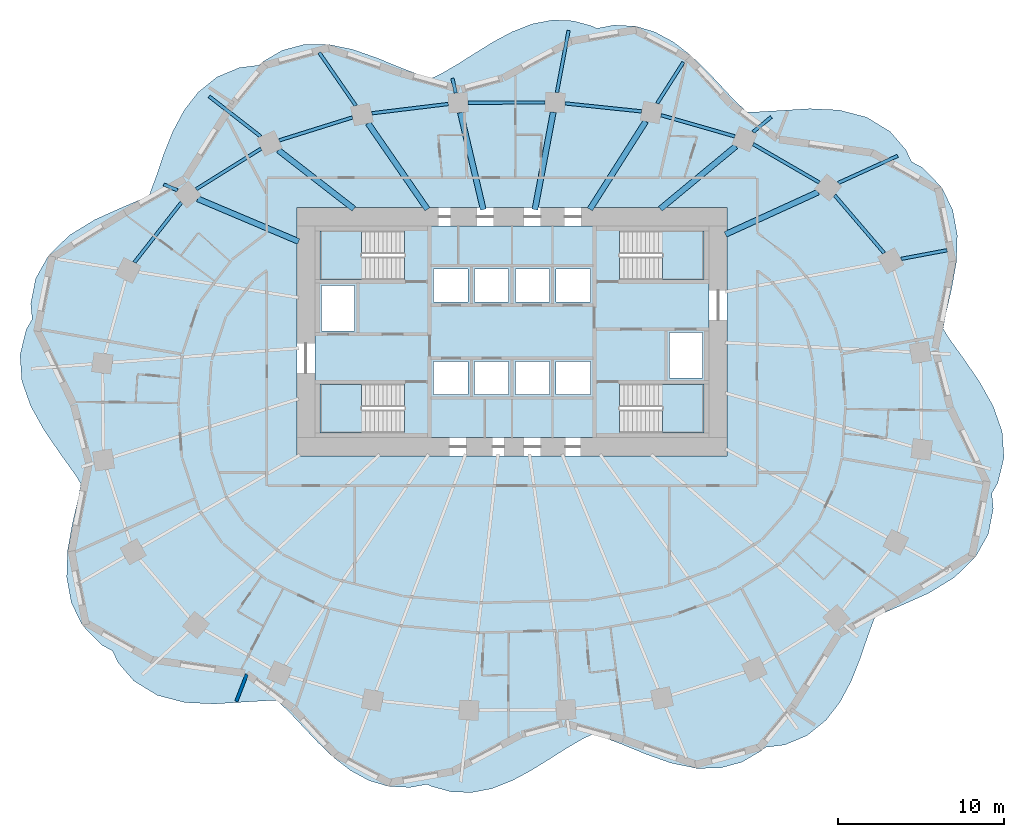
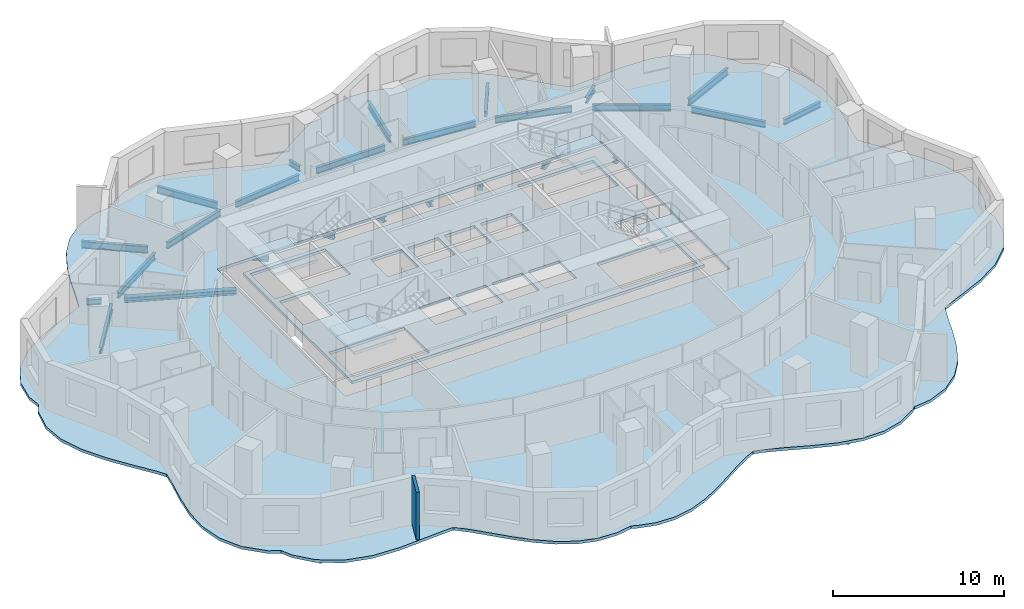
# One storey, part 2 of 10: 26 beams, 6 slabs, 1 wall, 4 elements without a shape of their own.
"""IFC4 building model written with IfcOpenShell, lengths in metres."""

from ifc_helpers import new_model, si_unit, direction, frame, frame_2d, origin, origin_2d, place, context, subcontext, project, spatial, polyline, rectangle, i_section, outline, extrude, material, layer, layer_set, material_profile, profile_set, type_object, element, aggregate, save


model = new_model("IFC4")

# Units and contexts
model_context = context("Model", 3, precision=1e-05, world=origin(), true_north=direction((0.0, 1.0)))
body_context = subcontext(model_context, "Body", "Model", "MODEL_VIEW")
ifc_project = project(units=[si_unit("LENGTHUNIT", "METRE"), si_unit("AREAUNIT", "SQUARE_METRE"), si_unit("VOLUMEUNIT", "CUBIC_METRE"), si_unit("PLANEANGLEUNIT", "RADIAN"), si_unit("MASSUNIT", "GRAM", prefix="KILO")], contexts=[model_context])

# Site, building, storey
site_placement = place(None, origin())
site = spatial("IfcSite", under=ifc_project, at=site_placement, CompositionType="ELEMENT")
building_placement = place(site_placement, origin())
building = spatial("IfcBuilding", under=site, at=building_placement, Name="Rubra Terraces Tower", CompositionType="ELEMENT")
storey_placement = place(building_placement, frame((0.0, 0.0, 88.800048828125)))
storey = spatial("IfcBuildingStorey", under=building, at=storey_placement, Name="L20", CompositionType="ELEMENT", Elevation=88.800048828125)

# Beams
ifc_material_1 = material(Name="Steel Q355B", Category="steel")
ifc_material_profile_1 = material_profile(ifc_material_1, i_section(OverallWidth=0.199951171875, OverallDepth=0.39990234375, WebThickness=0.008056640625, FlangeThickness=0.012939453125, at=origin_2d()), Name="HN 400x200x8x13")
ifc_profile_set_1 = profile_set([ifc_material_profile_1], Name="Steel Q355B")
beam_type_1 = type_object("IfcBeamType", Name="CANTILEVER BEAM HN 400x200x8x13", PredefinedType="BEAM", material=ifc_profile_set_1)
beam_1_placement = place(storey_placement, frame((23.5009765625, 8.904052734375, -0.400146484375), z_axis=(0.982900503659, 0.184137448407, 0.0), x_axis=(-0.184137448407, 0.982900503659, 0.0)))
element("IfcBeam", 1, at=beam_1_placement, inside=storey, type_object=beam_type_1, Name="beam-L20-cant-02", PredefinedType="BEAM", context=body_context, shape_type="SweptSolid", body=[
    extrude(i_section(OverallWidth=0.199951171875, OverallDepth=0.39990234375, WebThickness=0.008056640625, FlangeThickness=0.012939453125, at=origin_2d()), origin(), (0.0, 0.0, 1.0), 2.829345703125),
])
beam_2_placement = place(storey_placement, frame((8.76806640625, 18.29296875, -0.400146484375), z_axis=(0.536506017285, 0.843896494493, 0.0), x_axis=(-0.843896494493, 0.536506017285, 0.0)))
element("IfcBeam", 2, at=beam_2_placement, inside=storey, type_object=beam_type_1, Name="beam-L20-cant-05", PredefinedType="BEAM", context=body_context, shape_type="SweptSolid", body=[
    extrude(i_section(OverallWidth=0.199951171875, OverallDepth=0.39990234375, WebThickness=0.008056640625, FlangeThickness=0.012939453125, at=origin_2d()), origin(), (0.0, 0.0, 1.0), 2.95068359375),
])
ifc_material_profile_2 = material_profile(ifc_material_1, i_section(OverallWidth=0.198974609375, OverallDepth=0.49609375, WebThickness=0.009033203125, FlangeThickness=0.013916015625, at=origin_2d()), Name="HN 496x199x9x14")
ifc_profile_set_2 = profile_set([ifc_material_profile_2], Name="Steel Q355B")
beam_type_2 = type_object("IfcBeamType", Name="CANTILEVER BEAM HN 496x199x9x14", PredefinedType="BEAM", material=ifc_profile_set_2)
beam_3_placement = place(storey_placement, frame((19.697998046875, 13.485107421875, -0.447998046875), z_axis=(0.909768687771, 0.415115567947, 0.0), x_axis=(-0.415115567947, 0.909768687771, 0.0)))
element("IfcBeam", 3, at=beam_3_placement, inside=storey, type_object=beam_type_2, Name="beam-L20-cant-03", PredefinedType="BEAM", context=body_context, shape_type="SweptSolid", body=[
    extrude(i_section(OverallWidth=0.198974609375, OverallDepth=0.49609375, WebThickness=0.009033203125, FlangeThickness=0.013916015625, at=origin_2d()), origin(), (0.0, 0.0, 1.0), 3.950439453125),
])
beam_4_placement = place(storey_placement, frame((2.714111328125, 18.952880859375, -0.447998046875), z_axis=(0.184412291305, 0.982848974571, 0.0), x_axis=(-0.982848974571, 0.184412291305, 0.0)))
element("IfcBeam", 4, at=beam_4_placement, inside=storey, type_object=beam_type_2, Name="beam-L20-cant-06", PredefinedType="BEAM", context=body_context, shape_type="SweptSolid", body=[
    extrude(i_section(OverallWidth=0.198974609375, OverallDepth=0.49609375, WebThickness=0.009033203125, FlangeThickness=0.013916015625, at=origin_2d()), origin(), (0.0, 0.0, 1.0), 3.8115234375),
])
beam_5_placement = place(storey_placement, frame((-9.431884765625, 18.158935546875, -0.447998046875), z_axis=(-0.568196775226, 0.822892717566, 0.0), x_axis=(-0.822892717566, -0.568196775226, 0.0)))
element("IfcBeam", 5, at=beam_5_placement, inside=storey, type_object=beam_type_2, Name="beam-L20-cant-08", PredefinedType="BEAM", context=body_context, shape_type="SweptSolid", body=[
    extrude(i_section(OverallWidth=0.198974609375, OverallDepth=0.49609375, WebThickness=0.009033203125, FlangeThickness=0.013916015625, at=origin_2d()), origin(), (0.0, 0.0, 1.0), 3.8984375),
])
beam_6_placement = place(storey_placement, frame((-15.177001953125, 16.2958984375, -0.447998046875), z_axis=(-0.789565161109, 0.613666730696, 0.0), x_axis=(-0.613666730696, -0.789565161109, 0.0)))
element("IfcBeam", 6, at=beam_6_placement, inside=storey, type_object=beam_type_2, Name="beam-L20-cant-09", PredefinedType="BEAM", context=body_context, shape_type="SweptSolid", body=[
    extrude(i_section(OverallWidth=0.198974609375, OverallDepth=0.49609375, WebThickness=0.009033203125, FlangeThickness=0.013916015625, at=origin_2d()), origin(), (0.0, 0.0, 1.0), 3.9501953125),
])
ifc_material_profile_3 = material_profile(ifc_material_1, i_section(OverallWidth=0.199951171875, OverallDepth=0.39990234375, WebThickness=0.008056640625, FlangeThickness=0.012939453125, at=origin_2d()), Name="HN 400x200x8x13")
ifc_profile_set_3 = profile_set([ifc_material_profile_3], Name="Steel Q355B")
beam_type_3 = type_object("IfcBeamType", Name="CANTILEVER STUB HN 400x200x8x13", PredefinedType="BEAM", material=ifc_profile_set_3)
beam_7_placement = place(storey_placement, frame((14.56201171875, 16.56689453125, -0.400146484375), z_axis=(0.769803051862, 0.63828149068, 0.0), x_axis=(-0.63828149068, 0.769803051862, 0.0)))
element("IfcBeam", 7, at=beam_7_placement, inside=storey, type_object=beam_type_3, Name="beam-L20-cant-04", PredefinedType="BEAM", context=body_context, shape_type="SweptSolid", body=[
    extrude(i_section(OverallWidth=0.199951171875, OverallDepth=0.39990234375, WebThickness=0.008056640625, FlangeThickness=0.012939453125, at=origin_2d()), origin(), (0.0, 0.0, 1.0), 1.427490234375),
])
beam_8_placement = place(storey_placement, frame((-3.39306640625, 18.922119140625, -0.400146484375), z_axis=(-0.228920638897, 0.973445088891, 0.0), x_axis=(-0.973445088891, -0.228920638897, 0.0)))
element("IfcBeam", 8, at=beam_8_placement, inside=storey, type_object=beam_type_3, Name="beam-L20-cant-07", PredefinedType="BEAM", context=body_context, shape_type="SweptSolid", body=[
    extrude(i_section(OverallWidth=0.199951171875, OverallDepth=0.39990234375, WebThickness=0.008056640625, FlangeThickness=0.012939453125, at=origin_2d()), origin(), (0.0, 0.0, 1.0), 0.917236328125),
])
beam_9_placement = place(storey_placement, frame((-20.202880859375, 13.048095703125, -0.400146484375), z_axis=(-0.92094479255, 0.389693070346, 0.0), x_axis=(-0.389693070346, -0.92094479255, 0.0)))
element("IfcBeam", 9, at=beam_9_placement, inside=storey, type_object=beam_type_3, Name="beam-L20-cant-10", PredefinedType="BEAM", context=body_context, shape_type="SweptSolid", body=[
    extrude(i_section(OverallWidth=0.199951171875, OverallDepth=0.39990234375, WebThickness=0.008056640625, FlangeThickness=0.012939453125, at=origin_2d()), origin(), (0.0, 0.0, 1.0), 0.900390625),
])
ifc_material_profile_4 = material_profile(ifc_material_1, i_section(OverallWidth=0.35009765625, OverallDepth=0.35009765625, WebThickness=0.011962890625, FlangeThickness=0.01904296875, at=origin_2d()), Name="HW 350x350x12x19")
ifc_profile_set_4 = profile_set([ifc_material_profile_4], Name="Steel Q355B")
beam_type_4 = type_object("IfcBeamType", Name="FLOOR BEAM HW 350x350x12x19", PredefinedType="BEAM", material=ifc_profile_set_4)
beam_10_placement = place(storey_placement, frame((18.486083984375, 12.93310546875, -0.375), z_axis=(-0.909749612827, -0.415157370116, 0.0), x_axis=(0.415157370116, -0.909749612827, 0.0)))
element("IfcBeam", 10, at=beam_10_placement, inside=storey, type_object=beam_type_4, Name="beam-L20-floor-03", PredefinedType="BEAM", context=body_context, shape_type="SweptSolid", body=[
    extrude(i_section(OverallWidth=0.35009765625, OverallDepth=0.35009765625, WebThickness=0.011962890625, FlangeThickness=0.01904296875, at=origin_2d()), origin(), (0.0, 0.0, 1.0), 6.14990234375),
])
beam_11_placement = place(storey_placement, frame((13.52197265625, 15.705078125, -0.375), z_axis=(-0.769987448283, -0.638059032917, 0.0), x_axis=(0.638059032917, -0.769987448283, 0.0)))
element("IfcBeam", 11, at=beam_11_placement, inside=storey, type_object=beam_type_4, Name="beam-L20-floor-04", PredefinedType="BEAM", context=body_context, shape_type="SweptSolid", body=[
    extrude(i_section(OverallWidth=0.35009765625, OverallDepth=0.35009765625, WebThickness=0.011962890625, FlangeThickness=0.01904296875, at=origin_2d()), origin(), (0.0, 0.0, 1.0), 5.92724609375),
])
beam_12_placement = place(storey_placement, frame((8.075927734375, 17.205078125, -0.375), z_axis=(-0.536468405163, -0.843920405169, 0.0), x_axis=(0.843920405169, -0.536468405163, 0.0)))
element("IfcBeam", 12, at=beam_12_placement, inside=storey, type_object=beam_type_4, Name="beam-L20-floor-05", PredefinedType="BEAM", context=body_context, shape_type="SweptSolid", body=[
    extrude(i_section(OverallWidth=0.35009765625, OverallDepth=0.35009765625, WebThickness=0.011962890625, FlangeThickness=0.01904296875, at=origin_2d()), origin(), (0.0, 0.0, 1.0), 6.28759765625),
])
beam_13_placement = place(storey_placement, frame((2.489990234375, 17.762939453125, -0.375), z_axis=(-0.184505318504, -0.982831515288, 0.0), x_axis=(0.982831515288, -0.184505318504, 0.0)))
element("IfcBeam", 13, at=beam_13_placement, inside=storey, type_object=beam_type_4, Name="beam-L20-floor-06", PredefinedType="BEAM", context=body_context, shape_type="SweptSolid", body=[
    extrude(i_section(OverallWidth=0.35009765625, OverallDepth=0.35009765625, WebThickness=0.011962890625, FlangeThickness=0.01904296875, at=origin_2d()), origin(), (0.0, 0.0, 1.0), 5.983642578125),
])
beam_14_placement = place(storey_placement, frame((-3.114990234375, 17.738037109375, -0.375), z_axis=(0.229084580284, -0.973406520975, 0.0), x_axis=(0.973406520975, 0.229084580284, 0.0)))
element("IfcBeam", 14, at=beam_14_placement, inside=storey, type_object=beam_type_4, Name="beam-L20-floor-07", PredefinedType="BEAM", context=body_context, shape_type="SweptSolid", body=[
    extrude(i_section(OverallWidth=0.35009765625, OverallDepth=0.35009765625, WebThickness=0.011962890625, FlangeThickness=0.01904296875, at=origin_2d()), origin(), (0.0, 0.0, 1.0), 6.014892578125),
])
beam_15_placement = place(storey_placement, frame((-8.694091796875, 17.091064453125, -0.375), z_axis=(0.568116443955, -0.822948179479, 0.0), x_axis=(0.822948179479, 0.568116443955, 0.0)))
element("IfcBeam", 15, at=beam_15_placement, inside=storey, type_object=beam_type_4, Name="beam-L20-floor-08", PredefinedType="BEAM", context=body_context, shape_type="SweptSolid", body=[
    extrude(i_section(OverallWidth=0.35009765625, OverallDepth=0.35009765625, WebThickness=0.011962890625, FlangeThickness=0.01904296875, at=origin_2d()), origin(), (0.0, 0.0, 1.0), 6.306884765625),
])
beam_16_placement = place(storey_placement, frame((-14.10888671875, 15.466064453125, -0.375), z_axis=(0.789514006973, -0.613732541742, 0.0), x_axis=(0.613732541742, 0.789514006973, 0.0)))
element("IfcBeam", 16, at=beam_16_placement, inside=storey, type_object=beam_type_4, Name="beam-L20-floor-09", PredefinedType="BEAM", context=body_context, shape_type="SweptSolid", body=[
    extrude(i_section(OverallWidth=0.35009765625, OverallDepth=0.35009765625, WebThickness=0.011962890625, FlangeThickness=0.01904296875, at=origin_2d()), origin(), (0.0, 0.0, 1.0), 5.76806640625),
])
beam_17_placement = place(storey_placement, frame((-18.98291015625, 12.531982421875, -0.375), z_axis=(0.920986092, -0.389595454726, 0.0), x_axis=(0.389595454726, 0.920986092, 0.0)))
element("IfcBeam", 17, at=beam_17_placement, inside=storey, type_object=beam_type_4, Name="beam-L20-floor-10", PredefinedType="BEAM", context=body_context, shape_type="SweptSolid", body=[
    extrude(i_section(OverallWidth=0.35009765625, OverallDepth=0.35009765625, WebThickness=0.011962890625, FlangeThickness=0.01904296875, at=origin_2d()), origin(), (0.0, 0.0, 1.0), 6.61669921875),
])
ifc_material_profile_5 = material_profile(ifc_material_1, i_section(OverallWidth=0.198974609375, OverallDepth=0.446044921875, WebThickness=0.008056640625, FlangeThickness=0.011962890625, at=origin_2d()), Name="HN 446x199x8x12")
ifc_profile_set_5 = profile_set([ifc_material_profile_5], Name="Steel Q355B")
beam_type_5 = type_object("IfcBeamType", Name="SPANDREL BEAM HN 446x199x8x12", PredefinedType="SPANDREL", material=ifc_profile_set_5)
beam_18_placement = place(storey_placement, frame((22.48095703125, 9.251953125, -0.423095703125), z_axis=(-0.650428637413, 0.759567368726, 0.0), x_axis=(-0.759567368726, -0.650428637413, 0.0)))
element("IfcBeam", 18, at=beam_18_placement, inside=storey, type_object=beam_type_5, Name="beam-L20-spandrel-02", PredefinedType="SPANDREL", context=body_context, shape_type="SweptSolid", body=[
    extrude(i_section(OverallWidth=0.198974609375, OverallDepth=0.446044921875, WebThickness=0.008056640625, FlangeThickness=0.011962890625, at=origin_2d()), origin(), (0.0, 0.0, 1.0), 4.6015625),
])
beam_19_placement = place(storey_placement, frame((18.56494140625, 13.513916015625, -0.423095703125), z_axis=(-0.865116425734, 0.501571101565, 0.0), x_axis=(-0.501571101565, -0.865116425734, 0.0)))
element("IfcBeam", 19, at=beam_19_placement, inside=storey, type_object=beam_type_5, Name="beam-L20-spandrel-03", PredefinedType="SPANDREL", context=body_context, shape_type="SweptSolid", body=[
    extrude(i_section(OverallWidth=0.198974609375, OverallDepth=0.446044921875, WebThickness=0.008056640625, FlangeThickness=0.011962890625, at=origin_2d()), origin(), (0.0, 0.0, 1.0), 4.62353515625),
])
beam_20_placement = place(storey_placement, frame((13.4609375, 16.302978515625, -0.423095703125), z_axis=(-0.961195652649, 0.275867572085, 0.0), x_axis=(-0.275867572085, -0.961195652649, 0.0)))
element("IfcBeam", 20, at=beam_20_placement, inside=storey, type_object=beam_type_5, Name="beam-L20-spandrel-04", PredefinedType="SPANDREL", context=body_context, shape_type="SweptSolid", body=[
    extrude(i_section(OverallWidth=0.198974609375, OverallDepth=0.446044921875, WebThickness=0.008056640625, FlangeThickness=0.011962890625, at=origin_2d()), origin(), (0.0, 0.0, 1.0), 4.639892578125),
])
beam_21_placement = place(storey_placement, frame((7.822998046875, 17.81201171875, -0.423095703125), z_axis=(-0.994588599148, 0.103891859374, 0.0), x_axis=(-0.103891859374, -0.994588599148, 0.0)))
element("IfcBeam", 21, at=beam_21_placement, inside=storey, type_object=beam_type_5, Name="beam-L20-spandrel-05", PredefinedType="SPANDREL", context=body_context, shape_type="SweptSolid", body=[
    extrude(i_section(OverallWidth=0.198974609375, OverallDepth=0.446044921875, WebThickness=0.008056640625, FlangeThickness=0.011962890625, at=origin_2d()), origin(), (0.0, 0.0, 1.0), 4.648193359375),
])
beam_22_placement = place(storey_placement, frame((2.0009765625, 18.35498046875, -0.423095703125), z_axis=(-0.99998885538, -0.004721135025, 0.0), x_axis=(0.004721135025, -0.99998885538, 0.0)))
element("IfcBeam", 22, at=beam_22_placement, inside=storey, type_object=beam_type_5, Name="beam-L20-spandrel-06", PredefinedType="SPANDREL", context=body_context, shape_type="SweptSolid", body=[
    extrude(i_section(OverallWidth=0.198974609375, OverallDepth=0.446044921875, WebThickness=0.008056640625, FlangeThickness=0.011962890625, at=origin_2d()), origin(), (0.0, 0.0, 1.0), 4.654052734375),
])
beam_23_placement = place(storey_placement, frame((-3.85107421875, 18.258056640625, -0.423095703125), z_axis=(-0.992713612833, -0.120497646851, 0.0), x_axis=(0.120497646851, -0.992713612833, 0.0)))
element("IfcBeam", 23, at=beam_23_placement, inside=storey, type_object=beam_type_5, Name="beam-L20-spandrel-07", PredefinedType="SPANDREL", context=body_context, shape_type="SweptSolid", body=[
    extrude(i_section(OverallWidth=0.198974609375, OverallDepth=0.446044921875, WebThickness=0.008056640625, FlangeThickness=0.011962890625, at=origin_2d()), origin(), (0.0, 0.0, 1.0), 4.64794921875),
])
beam_24_placement = place(storey_placement, frame((-9.637939453125, 17.445068359375, -0.423095703125), z_axis=(-0.954462184919, -0.298331925142, 0.0), x_axis=(0.298331925142, -0.954462184919, 0.0)))
element("IfcBeam", 24, at=beam_24_placement, inside=storey, type_object=beam_type_5, Name="beam-L20-spandrel-08", PredefinedType="SPANDREL", context=body_context, shape_type="SweptSolid", body=[
    extrude(i_section(OverallWidth=0.198974609375, OverallDepth=0.446044921875, WebThickness=0.008056640625, FlangeThickness=0.011962890625, at=origin_2d()), origin(), (0.0, 0.0, 1.0), 4.63916015625),
])
beam_25_placement = place(storey_placement, frame((-15.156005859375, 15.56103515625, -0.423095703125), z_axis=(-0.848188188849, -0.529695003089, 0.0), x_axis=(0.529695003089, -0.848188188849, 0.0)))
element("IfcBeam", 25, at=beam_25_placement, inside=storey, type_object=beam_type_5, Name="beam-L20-spandrel-09", PredefinedType="SPANDREL", context=body_context, shape_type="SweptSolid", body=[
    extrude(i_section(OverallWidth=0.198974609375, OverallDepth=0.446044921875, WebThickness=0.008056640625, FlangeThickness=0.011962890625, at=origin_2d()), origin(), (0.0, 0.0, 1.0), 4.62158203125),
])
beam_26_placement = place(storey_placement, frame((-19.968994140625, 12.31103515625, -0.423095703125), z_axis=(-0.61694919408, -0.787002980886, 0.0), x_axis=(0.787002980886, -0.61694919408, 0.0)))
element("IfcBeam", 26, at=beam_26_placement, inside=storey, type_object=beam_type_5, Name="beam-L20-spandrel-10", PredefinedType="SPANDREL", context=body_context, shape_type="SweptSolid", body=[
    extrude(i_section(OverallWidth=0.198974609375, OverallDepth=0.446044921875, WebThickness=0.008056640625, FlangeThickness=0.011962890625, at=origin_2d()), origin(), (0.0, 0.0, 1.0), 4.599853515625),
])

# Slab
ifc_material_2 = material(Name="Concrete C40", Category="concrete")
ifc_layer_1 = layer(ifc_material_2, 0.199951171875)
ifc_layer_set_1 = layer_set([ifc_layer_1], Name="Concrete C40")
slab_type_1 = type_object("IfcSlabType", Name="Core floor slab 200 concrete", PredefinedType="FLOOR", material=ifc_layer_set_1)
slab_1_placement = place(storey_placement, frame((0.0, 0.0, -0.199951171875)))
element("IfcSlab", 27, at=slab_1_placement, inside=storey, type_object=slab_type_1, Name="CORE FLOOR SLAB L20", PredefinedType="FLOOR", context=body_context, shape_type="SweptSolid", body=[
    extrude(outline(polyline([(-11.89990234375, -1.89990234375), (-11.89990234375, 10.89990234375), (11.89990234375, 10.89990234375), (11.89990234375, -1.89990234375), (-11.89990234375, -1.89990234375)]), holes=[polyline([(11.597900390625, 1.347900390625), (6.501953125, 1.347900390625), (6.501953125, -1.597900390625), (11.597900390625, -1.597900390625), (11.597900390625, 1.347900390625)]), polyline([(11.597900390625, 7.652099609375), (11.597900390625, 10.597900390625), (6.501953125, 10.597900390625), (6.501953125, 7.652099609375), (11.597900390625, 7.652099609375)]), polyline([(9.5, 1.699951171875), (11.5, 1.699951171875), (11.5, 4.449951171875), (9.5, 4.449951171875), (9.5, 1.699951171875)]), polyline([(4.75, 0.699951171875), (4.75, 2.699951171875), (2.64990234375, 2.699951171875), (2.64990234375, 0.699951171875), (4.75, 0.699951171875)]), polyline([(4.75, 6.300048828125), (4.75, 8.300048828125), (2.64990234375, 8.300048828125), (2.64990234375, 6.300048828125), (4.75, 6.300048828125)]), polyline([(2.25, 0.699951171875), (2.25, 2.699951171875), (0.199951171875, 2.699951171875), (0.199951171875, 0.699951171875), (2.25, 0.699951171875)]), polyline([(2.25, 6.300048828125), (2.25, 8.300048828125), (0.199951171875, 8.300048828125), (0.199951171875, 6.300048828125), (2.25, 6.300048828125)]), polyline([(-0.199951171875, 0.699951171875), (-0.199951171875, 2.699951171875), (-2.25, 2.699951171875), (-2.25, 0.699951171875), (-0.199951171875, 0.699951171875)]), polyline([(-0.199951171875, 6.300048828125), (-0.199951171875, 8.300048828125), (-2.25, 8.300048828125), (-2.25, 6.300048828125), (-0.199951171875, 6.300048828125)]), polyline([(-2.64990234375, 0.699951171875), (-2.64990234375, 2.699951171875), (-4.75, 2.699951171875), (-4.75, 0.699951171875), (-2.64990234375, 0.699951171875)]), polyline([(-2.64990234375, 8.300048828125), (-4.75, 8.300048828125), (-4.75, 6.300048828125), (-2.64990234375, 6.300048828125), (-2.64990234375, 8.300048828125)]), polyline([(-11.597900390625, -1.597900390625), (-6.501953125, -1.597900390625), (-6.501953125, 1.347900390625), (-11.597900390625, 1.347900390625), (-11.597900390625, -1.597900390625)]), polyline([(-11.597900390625, 10.597900390625), (-11.597900390625, 7.652099609375), (-6.501953125, 7.652099609375), (-6.501953125, 10.597900390625), (-11.597900390625, 10.597900390625)]), polyline([(-9.5, 4.550048828125), (-9.5, 7.300048828125), (-11.5, 7.300048828125), (-11.5, 4.550048828125), (-9.5, 4.550048828125)])]), origin(), (0.0, 0.0, 1.0), 0.199951171875),
])

# Stair, slab
stair_type = type_object("IfcStairType", Name="Core stair 1400", PredefinedType="HALF_TURN_STAIR", material=ifc_material_2)
stair_1_placement = place(storey_placement, origin())
stair_1 = element("IfcStair", 28, at=stair_1_placement, inside=storey, type_object=stair_type, Name="L20 Exit stair S1", PredefinedType="HALF_TURN_STAIR")
ifc_layer_2 = layer(ifc_material_2, 0.199951171875)
ifc_layer_set_2 = layer_set([ifc_layer_2], Name="Concrete C40")
slab_type_2 = type_object("IfcSlabType", Name="Core stair landing 200", PredefinedType="LANDING", material=ifc_layer_set_2)
slab_2_placement = place(storey_placement, frame((0.0, 0.0, 1.599853515625)))
slab_2 = element("IfcSlab", 29, at=slab_2_placement, type_object=slab_type_2, Name="S1 landing 1", PredefinedType="LANDING", context=body_context, shape_type="SweptSolid", body=[
    extrude(outline(polyline([(-8.719970703125, -0.199951171875), (-8.719970703125, -1.60009765625), (-9.10009765625, -1.60009765625), (-9.1201171875, -1.60009765625), (-11.60009765625, -1.60009765625), (-11.60009765625, 1.35009765625), (-9.1201171875, 1.35009765625), (-9.097900390625, 1.35009765625), (-9.097900390625, -0.050048828125), (-9.10009765625, -0.050048828125), (-9.10009765625, -0.199951171875), (-8.719970703125, -0.199951171875)])), origin(), (0.0, 0.0, 1.0), 0.2001953125),
])
aggregate(stair_1, [slab_2])

stair_2_placement = place(storey_placement, origin())
stair_2 = element("IfcStair", 30, at=stair_2_placement, inside=storey, type_object=stair_type, Name="L20 Exit stair S2", PredefinedType="HALF_TURN_STAIR")
slab_3_placement = place(storey_placement, frame((0.0, 0.0, 1.599853515625)))
slab_3 = element("IfcSlab", 31, at=slab_3_placement, type_object=slab_type_2, Name="S2 landing 1", PredefinedType="LANDING", context=body_context, shape_type="SweptSolid", body=[
    extrude(outline(polyline([(-8.719970703125, 9.050048828125), (-8.719970703125, 7.64990234375), (-9.1201171875, 7.64990234375), (-11.60009765625, 7.64990234375), (-11.60009765625, 10.60009765625), (-9.1201171875, 10.60009765625), (-9.10009765625, 10.60009765625), (-9.097900390625, 10.60009765625), (-9.097900390625, 9.199951171875), (-9.10009765625, 9.199951171875), (-9.10009765625, 9.050048828125), (-8.719970703125, 9.050048828125)])), origin(), (0.0, 0.0, 1.0), 0.2001953125),
])
aggregate(stair_2, [slab_3])

stair_3_placement = place(storey_placement, origin())
stair_3 = element("IfcStair", 32, at=stair_3_placement, inside=storey, type_object=stair_type, Name="L20 Exit stair S3", PredefinedType="HALF_TURN_STAIR")
slab_4_placement = place(storey_placement, frame((0.0, 0.0, 1.599853515625)))
slab_4 = element("IfcSlab", 33, at=slab_4_placement, type_object=slab_type_2, Name="S3 landing 1", PredefinedType="LANDING", context=body_context, shape_type="SweptSolid", body=[
    extrude(outline(polyline([(9.10009765625, 9.050048828125), (9.10009765625, 9.199951171875), (8.719970703125, 9.199951171875), (8.719970703125, 10.60009765625), (9.10009765625, 10.60009765625), (9.1201171875, 10.60009765625), (11.60009765625, 10.60009765625), (11.60009765625, 7.64990234375), (9.1201171875, 7.64990234375), (9.097900390625, 7.64990234375), (9.097900390625, 9.050048828125), (9.10009765625, 9.050048828125)])), origin(), (0.0, 0.0, 1.0), 0.2001953125),
])
aggregate(stair_3, [slab_4])

stair_4_placement = place(storey_placement, origin())
stair_4 = element("IfcStair", 34, at=stair_4_placement, inside=storey, type_object=stair_type, Name="L20 Exit stair S4", PredefinedType="HALF_TURN_STAIR")
slab_5_placement = place(storey_placement, frame((0.0, 0.0, 1.599853515625)))
slab_5 = element("IfcSlab", 35, at=slab_5_placement, type_object=slab_type_2, Name="S4 landing 1", PredefinedType="LANDING", context=body_context, shape_type="SweptSolid", body=[
    extrude(outline(polyline([(9.10009765625, -0.199951171875), (9.10009765625, -0.050048828125), (8.719970703125, -0.050048828125), (8.719970703125, 1.35009765625), (9.10009765625, 1.35009765625), (9.1201171875, 1.35009765625), (11.60009765625, 1.35009765625), (11.60009765625, -1.60009765625), (9.1201171875, -1.60009765625), (9.10009765625, -1.60009765625), (9.097900390625, -1.60009765625), (9.097900390625, -0.199951171875), (9.10009765625, -0.199951171875)])), origin(), (0.0, 0.0, 1.0), 0.2001953125),
])
aggregate(stair_4, [slab_5])

# Slab
ifc_layer_3 = layer(ifc_material_2, 0.199951171875)
ifc_layer_set_3 = layer_set([ifc_layer_3], Name="Concrete C40")
slab_type_3 = type_object("IfcSlabType", Name="FLOOR SLAB 200 COMPOSITE", PredefinedType="FLOOR", material=ifc_layer_set_3)
slab_6_placement = place(storey_placement, frame((0.0, 0.0, -0.199951171875)))
element("IfcSlab", 36, at=slab_6_placement, inside=storey, type_object=slab_type_3, Name="FLOOR SLAB L20", PredefinedType="FLOOR", context=body_context, shape_type="SweptSolid", body=[
    extrude(outline(polyline([(15.10009765625, -20.782958984375), (15.297119140625, -20.60009765625), (16.469970703125, -20.4541015625), (17.81298828125, -19.89404296875), (18.964111328125, -18.964111328125), (19.81591796875, -17.863037109375), (20.489013671875, -16.59912109375), (21.01904296875, -15.27099609375), (21.498046875, -13.864990234375), (21.919921875, -12.72900390625), (22.05810546875, -12.64990234375), (23.56298828125, -12.006103515625), (25.175048828125, -11.283935546875), (26.72509765625, -10.337890625), (28.0, -9.097900390625), (28.77099609375, -7.715087890625), (29.072021484375, -6.176025390625), (28.97998046875, -5.259033203125), (29.337890625, -4.64697265625), (29.717041015625, -3.10107421875), (29.60595703125, -1.52587890625), (29.06689453125, 0.0), (28.240966796875, 1.47998046875), (27.278076171875, 2.87890625), (26.34912109375, 4.173095703125), (26.041015625, 4.68603515625), (26.18994140625, 5.527099609375), (26.551025390625, 7.068115234375), (26.843994140625, 8.721923828125), (26.89794921875, 10.322021484375), (26.618896484375, 11.860107421875), (25.9541015625, 13.22412109375), (24.791015625, 14.4169921875), (24.135986328125, 14.76708984375), (23.7900390625, 15.491943359375), (22.839111328125, 16.593017578125), (21.4150390625, 17.4619140625), (19.748046875, 17.89501953125), (17.97607421875, 17.97607421875), (16.18408203125, 17.864013671875), (14.509033203125, 17.763916015625), (14.173095703125, 17.787109375), (13.430908203125, 18.487060546875), (12.596923828125, 19.3779296875), (11.72509765625, 20.303955078125), (10.798095703125, 21.19189453125), (9.7509765625, 22.001953125), (8.634033203125, 22.60888671875), (7.4599609375, 22.958984375), (6.156982421875, 23.02197265625), (5.1279296875, 22.8291015625), (4.843994140625, 22.967041015625), (3.68701171875, 23.281982421875), (2.450927734375, 23.33203125), (1.217041015625, 23.095947265625), (0.0, 22.616943359375), (-1.110107421875, 22.02294921875), (-2.2041015625, 21.34912109375), (-3.27392578125, 20.6708984375), (-4.283935546875, 20.08203125), (-4.864013671875, 19.80908203125), (-4.2451171875, 19.64501953125), (-5.419921875, 19.9560546875), (-6.633056640625, 20.4130859375), (-8.09912109375, 21.01806640625), (-9.613037109375, 21.552001953125), (-11.14208984375, 21.866943359375), (-12.552978515625, 21.85595703125), (-13.886962890625, 21.4951171875), (-15.10009765625, 20.782958984375), (-15.297119140625, 20.60009765625), (-16.469970703125, 20.4541015625), (-17.81298828125, 19.89404296875), (-18.964111328125, 18.964111328125), (-19.81591796875, 17.863037109375), (-20.489013671875, 16.59912109375), (-21.01904296875, 15.27099609375), (-21.498046875, 13.864990234375), (-21.919921875, 12.72900390625), (-22.05810546875, 12.64990234375), (-23.56298828125, 12.006103515625), (-25.175048828125, 11.283935546875), (-26.72509765625, 10.337890625), (-28.0, 9.097900390625), (-28.77099609375, 7.715087890625), (-29.072021484375, 6.176025390625), (-28.97998046875, 5.259033203125), (-29.337890625, 4.64697265625), (-29.717041015625, 3.10107421875), (-29.60595703125, 1.52587890625), (-29.06689453125, 0.0), (-28.240966796875, -1.47998046875), (-27.278076171875, -2.87890625), (-26.34912109375, -4.173095703125), (-26.041015625, -4.68603515625), (-26.18994140625, -5.527099609375), (-26.551025390625, -7.068115234375), (-26.843994140625, -8.721923828125), (-26.89794921875, -10.322021484375), (-26.618896484375, -11.860107421875), (-25.9541015625, -13.22412109375), (-24.791015625, -14.4169921875), (-24.135986328125, -14.76708984375), (-23.7900390625, -15.491943359375), (-22.839111328125, -16.593017578125), (-21.4150390625, -17.4619140625), (-19.748046875, -17.89501953125), (-17.97607421875, -17.97607421875), (-16.18408203125, -17.864013671875), (-14.509033203125, -17.763916015625), (-14.173095703125, -17.787109375), (-13.430908203125, -18.487060546875), (-12.596923828125, -19.3779296875), (-11.72509765625, -20.303955078125), (-10.798095703125, -21.19189453125), (-9.7509765625, -22.001953125), (-8.634033203125, -22.60888671875), (-7.4599609375, -22.958984375), (-6.156982421875, -23.02197265625), (-5.1279296875, -22.8291015625), (-4.843994140625, -22.967041015625), (-3.68701171875, -23.281982421875), (-2.450927734375, -23.33203125), (-1.217041015625, -23.095947265625), (0.0, -22.616943359375), (1.110107421875, -22.02294921875), (2.2041015625, -21.34912109375), (3.27392578125, -20.6708984375), (4.283935546875, -20.08203125), (4.864013671875, -19.80908203125), (4.2451171875, -19.64501953125), (5.419921875, -19.9560546875), (6.633056640625, -20.4130859375), (8.09912109375, -21.01806640625), (9.613037109375, -21.552001953125), (11.14208984375, -21.866943359375), (12.552978515625, -21.85595703125), (13.886962890625, -21.4951171875), (15.10009765625, -20.782958984375)]), holes=[polyline([(13.0, 12.0), (13.0, -3.0), (-13.0, -3.0), (-13.0, 12.0), (13.0, 12.0)])]), origin(), (0.0, 0.0, 1.0), 0.199951171875),
])

# Wall
ifc_material_3 = material(Name="Brick masonry red-brown", Category="masonry")
ifc_layer_4 = layer(ifc_material_3, 0.199951171875)
ifc_layer_set_4 = layer_set([ifc_layer_4], Name="Brick masonry red-brown")
wall_type = type_object("IfcWallType", Name="Brick wind fin 200", PredefinedType="SOLIDWALL", material=ifc_layer_set_4)
wall_placement = place(storey_placement, frame((-16.01904296875, -16.195068359375, 0.0), z_axis=(0.0, 0.0, 1.0), x_axis=(-0.362641522028, -0.931928713208, 0.0)))
element("IfcWall", 37, at=wall_placement, inside=storey, type_object=wall_type, Name="Wind fin L20 16", PredefinedType="SOLIDWALL", context=body_context, shape_type="SweptSolid", body=[
    extrude(rectangle(XDim=1.749755859375, YDim=0.199951171875, at=frame_2d((0.875, 0.0))), origin(), (0.0, 0.0, 1.0), 3.39990234375),
])

save(model, "model.ifc")
